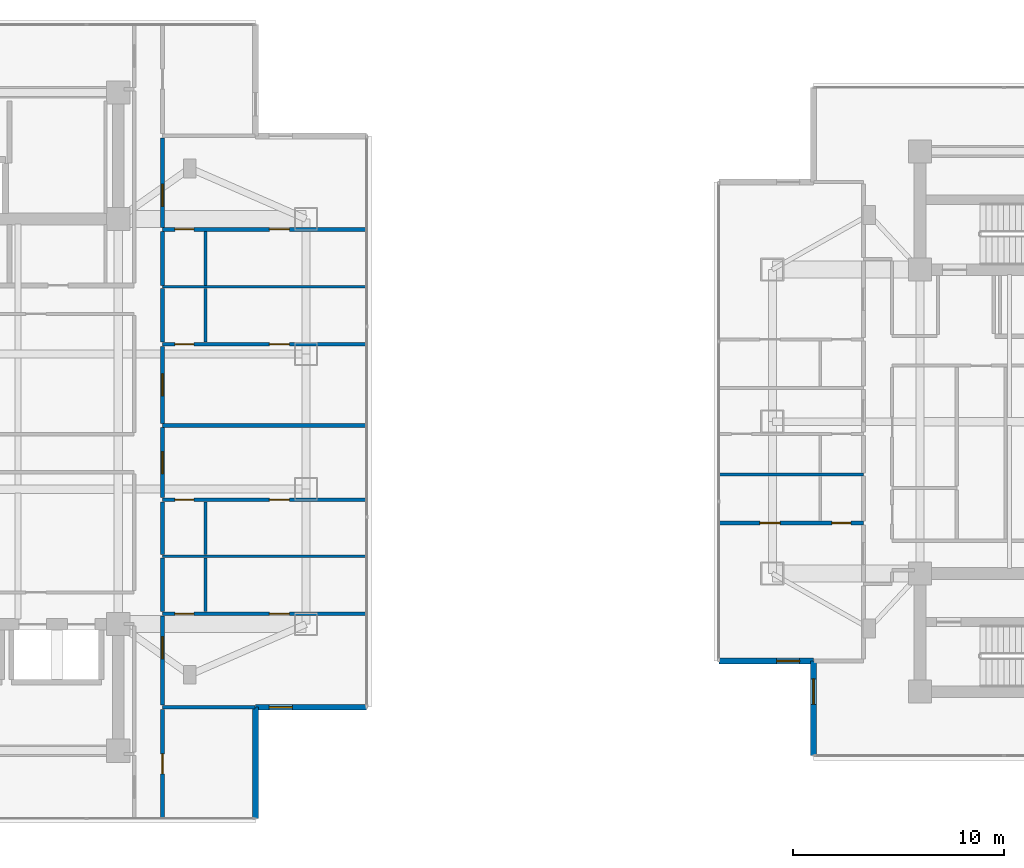
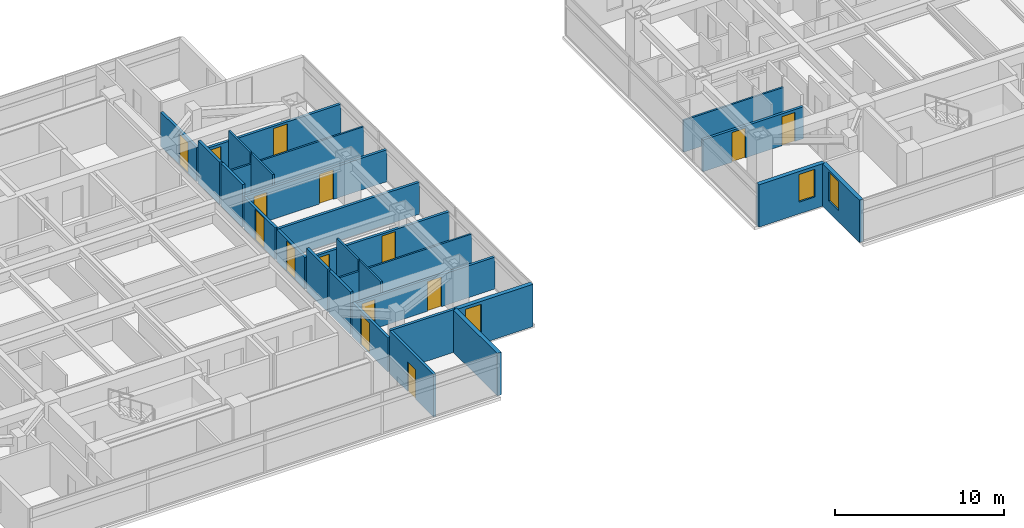
# One storey, part 14 of 24: 27 walls, 15 doors, 3 windows, 18 openings.
"""IFC4 building model written with IfcOpenShell, lengths in metres."""

import ifcopenshell
import ifcopenshell.guid

model = None  # the IFC model being written
_history = None  # IfcOwnerHistory: only IFC2X3 demands one
_inside = {}  # id of a spatial element -> (the spatial element, [elements in it])
_under = {}  # id of a project, library or spatial element -> (it, [spatial elements below it])
_declared = {}  # id of a project -> (the project, [libraries it declares])
_typed = {}  # id of a type object -> (the type object, [elements of that type])
_made_of = {}  # id of a material, layer set ... -> (it, [elements and type objects made of it])


def new_model(schema):
    """Start an empty IFC model of exactly this schema.

    Asked for "IFC4X3", IfcOpenShell would pick the latest addendum, in which some entities
    have other attributes; the version numbers below select the first issue.
    IFC2X3 requires an IfcOwnerHistory on every rooted entity: one is made here for all.
    """
    global model, _history
    if schema == "IFC4X3":
        model = ifcopenshell.file(schema_version=(4, 3, 0, 0))
    else:
        model = ifcopenshell.file(schema=schema)
    _inside.clear()
    _under.clear()
    _declared.clear()
    _typed.clear()
    _made_of.clear()
    _history = None
    if model.schema == "IFC2X3":
        org = make("IfcOrganization", Name="unknown")
        user = make(
            "IfcPersonAndOrganization",
            ThePerson=make("IfcPerson", FamilyName="unknown"),
            TheOrganization=org,
        )
        app = make(
            "IfcApplication",
            ApplicationDeveloper=org,
            Version="unknown",
            ApplicationFullName="unknown",
            ApplicationIdentifier="unknown",
        )
        _history = make(
            "IfcOwnerHistory",
            OwningUser=user,
            OwningApplication=app,
            ChangeAction="ADDED",
            CreationDate=0,
        )
    return model


def make(cls, **values):
    """One entity of the class cls with the attributes given. An attribute that is None is left unset."""
    return model.create_entity(
        cls, **{name: value for name, value in values.items() if value is not None}
    )


def rooted(cls, **values):
    """An entity with a GlobalId (a new one), such as an element, a storey or a relation."""
    return make(cls, GlobalId=ifcopenshell.guid.new(), OwnerHistory=_history, **values)


def si_unit(unit_type, name, prefix=None):
    """IfcSIUnit, for example si_unit("LENGTHUNIT", "METRE", prefix="MILLI")."""
    return make("IfcSIUnit", UnitType=unit_type, Prefix=prefix, Name=name)


def assignment(units):
    """IfcUnitAssignment: the units of a project."""
    return None if units is None else make("IfcUnitAssignment", Units=units)


def point(xyz):
    """IfcCartesianPoint."""
    return None if xyz is None else make("IfcCartesianPoint", Coordinates=xyz)


def direction(xyz):
    """IfcDirection."""
    return None if xyz is None else make("IfcDirection", DirectionRatios=xyz)


def frame(location, z_axis=None, x_axis=None):
    """IfcAxis2Placement3D, a coordinate frame: its origin and axes. An axis left out is left unset."""
    return make(
        "IfcAxis2Placement3D",
        Location=point(location),
        Axis=direction(z_axis),
        RefDirection=direction(x_axis),
    )


def frame_2d(location, x_axis=None):
    """IfcAxis2Placement2D, a coordinate frame in the plane: its origin and x axis."""
    return make(
        "IfcAxis2Placement2D", Location=point(location), RefDirection=direction(x_axis)
    )


def origin():
    """The frame at (0, 0, 0) with its axes left unset."""
    return frame((0.0, 0.0, 0.0))


def place(relative_to, where):
    """IfcLocalPlacement: puts the frame where relative to a parent placement (None: the world)."""
    return make(
        "IfcLocalPlacement", PlacementRelTo=relative_to, RelativePlacement=where
    )


def context(
    kind, dimensions, precision=None, world=None, true_north=None, identifier=None
):
    """IfcGeometricRepresentationContext, for example the 3D "Model" context."""
    return make(
        "IfcGeometricRepresentationContext",
        ContextIdentifier=identifier,
        ContextType=kind,
        CoordinateSpaceDimension=dimensions,
        Precision=precision,
        WorldCoordinateSystem=world,
        TrueNorth=true_north,
    )


def subcontext(parent, identifier, kind, view, scale=None):
    """IfcGeometricRepresentationSubContext, for example "Body" below "Model"."""
    return make(
        "IfcGeometricRepresentationSubContext",
        ContextIdentifier=identifier,
        ContextType=kind,
        ParentContext=parent,
        TargetScale=scale,
        TargetView=view,
    )


def project(units=None, contexts=None):
    """IfcProject with its units and contexts."""
    return rooted(
        "IfcProject",
        Name="project",
        RepresentationContexts=contexts,
        UnitsInContext=assignment(units),
    )


def spatial(cls, under=None, at=None, **own):
    """A site, building, storey or space (cls), placed at a placement, below another one or the project."""
    s = rooted(cls, ObjectPlacement=at, **own)
    if under is not None:
        _under.setdefault(under.id(), (under, []))[1].append(s)
    return s


def profile(cls, at=None, kind="AREA", **sizes):
    """A parametric profile (cls). Its sizes go by their IFC names, for example OverallWidth=200.0."""
    return make(cls, ProfileType=kind, Position=at, **sizes)


def rectangle(**sizes):
    """IfcRectangleProfileDef."""
    return profile("IfcRectangleProfileDef", **sizes)


def extrude(swept, where, along, depth):
    """IfcExtrudedAreaSolid: the profile swept, set in the frame where, extruded along a direction by depth."""
    return make(
        "IfcExtrudedAreaSolid",
        SweptArea=swept,
        Position=where,
        ExtrudedDirection=direction(along),
        Depth=depth,
    )


def shape(context_of_items, identifier, shape_type, items):
    """IfcShapeRepresentation: the items that make up one representation, for example the "Body"."""
    return make(
        "IfcShapeRepresentation",
        ContextOfItems=context_of_items,
        RepresentationIdentifier=identifier,
        RepresentationType=shape_type,
        Items=items,
    )


def material(Name=None, Category=None):
    """IfcMaterial."""
    return make("IfcMaterial", Name=Name, Category=Category)


def layer(
    of_material, thickness, ventilated=None, Name=None, Category=None, Priority=None
):
    """IfcMaterialLayer: one layer of a wall or slab, of a material (None: an air gap)."""
    return make(
        "IfcMaterialLayer",
        Material=of_material,
        LayerThickness=thickness,
        IsVentilated=ventilated,
        Name=Name,
        Category=Category,
        Priority=Priority,
    )


def layer_set(layers, Name=None):
    """IfcMaterialLayerSet."""
    return make("IfcMaterialLayerSet", MaterialLayers=layers, LayerSetName=Name)


def made_of(thing, what):
    """Note that an element or type object is made of a material, layer set ...; save() writes the relation."""
    if what is not None:
        _made_of.setdefault(what.id(), (what, []))[1].append(thing)
    return thing


def type_object(cls, material=None, **own):
    """A type object (cls), such as IfcWallType, which elements share."""
    return made_of(rooted(cls, **own), material)


def element(
    cls,
    number,
    at=None,
    inside=None,
    cuts=None,
    type_object=None,
    material=None,
    context=None,
    identifier="Body",
    shape_type=None,
    held_by="IfcProductDefinitionShape",
    body=None,
    shapes=None,
    **own,
):
    """One element of the class cls, such as IfcWall. Its Tag is "e" and its number.

    at: its placement. inside: the storey or other place that contains it. cuts: it is an
    opening in that element (IfcRelVoidsElement). A single representation is given by context,
    identifier, shape_type and body (its items); several are given by shapes. held_by: the class
    of the entity that holds the representations. save() writes the other relations.
    """
    e = rooted(cls, Tag="e%d" % number, ObjectPlacement=at, **own)
    if body is not None:
        shapes = [shape(context, identifier, shape_type, body)]
    if shapes is not None:
        e.Representation = make(held_by, Representations=shapes)
    if inside is not None:
        _inside.setdefault(inside.id(), (inside, []))[1].append(e)
    if cuts is not None:
        rooted(
            "IfcRelVoidsElement", RelatingBuildingElement=cuts, RelatedOpeningElement=e
        )
    if type_object is not None:
        _typed.setdefault(type_object.id(), (type_object, []))[1].append(e)
    return made_of(e, material)


def fill(opening, filler):
    """IfcRelFillsElement: the door or window that sits in an opening."""
    return rooted(
        "IfcRelFillsElement",
        RelatingOpeningElement=opening,
        RelatedBuildingElement=filler,
    )


def aggregate(whole, parts):
    """IfcRelAggregates: a whole, such as a stair, and the parts it consists of."""
    return rooted("IfcRelAggregates", RelatingObject=whole, RelatedObjects=parts)


def save(model, path):
    """Write the relations noted so far, then the file.

    IfcRelAggregates (storeys below a building ...), IfcRelContainedInSpatialStructure (elements
    in a storey), IfcRelDefinesByType, IfcRelAssociatesMaterial and IfcRelDeclares: one each for
    every whole, place, type object, material and project.
    """
    for whole, parts in _under.values():
        aggregate(whole, parts)
    for where, things in _inside.values():
        rooted(
            "IfcRelContainedInSpatialStructure",
            RelatedElements=things,
            RelatingStructure=where,
        )
    for kind, things in _typed.values():
        rooted("IfcRelDefinesByType", RelatedObjects=things, RelatingType=kind)
    for what, things in _made_of.values():
        rooted("IfcRelAssociatesMaterial", RelatedObjects=things, RelatingMaterial=what)
    for by, libraries in _declared.values():
        rooted("IfcRelDeclares", RelatingContext=by, RelatedDefinitions=libraries)
    model.write(path)


model = new_model("IFC4")

# Units and contexts
model_context = context("Model", 3, precision=1e-05, world=origin(), true_north=direction((0.0, 1.0)))
body_context = subcontext(model_context, "Body", "Model", "MODEL_VIEW")
ifc_project = project(units=[si_unit("LENGTHUNIT", "METRE"), si_unit("AREAUNIT", "SQUARE_METRE"), si_unit("VOLUMEUNIT", "CUBIC_METRE"), si_unit("PLANEANGLEUNIT", "RADIAN"), si_unit("MASSUNIT", "GRAM", prefix="KILO")], contexts=[model_context])

# Site, building, storey
site_placement = place(None, origin())
site = spatial("IfcSite", under=ifc_project, at=site_placement, CompositionType="ELEMENT")
building_placement = place(site_placement, origin())
building = spatial("IfcBuilding", under=site, at=building_placement, Name="Mirazonda Arch Towers", CompositionType="ELEMENT")
storey_placement = place(building_placement, frame((0.0, 0.0, 134.60009765625)))
storey = spatial("IfcBuildingStorey", under=building, at=storey_placement, Name="L38", CompositionType="ELEMENT", Elevation=134.60009765625)

# Wall, opening, window
ifc_material_1 = material(Name="Precast Concrete C40/50", Category="concrete")
ifc_layer_1 = layer(ifc_material_1, 0.280029296875, Name="WALL-EXT-WALL-280")
ifc_layer_set_1 = layer_set([ifc_layer_1], Name="Precast Concrete C40/50")
wall_type_1 = type_object("IfcWallType", Name="WALL-EXT-WALL-280", PredefinedType="SOLIDWALL", material=ifc_layer_set_1)
wall_1_placement = place(storey_placement, frame((36.510009765625, 14.4599609375, 0.0), z_axis=(0.0, 0.0, 1.0), x_axis=(1.0, 0.0, 0.0)))
wall_1 = element("IfcWall", 1, at=wall_1_placement, inside=storey, type_object=wall_type_1, Name="L38 T1 Corner Notch Return Wall WL-L38-T1-CSE1", PredefinedType="SOLIDWALL", context=body_context, shape_type="SweptSolid", body=[
    extrude(rectangle(XDim=5.27001953125, YDim=0.280029296875, at=frame_2d((2.635009765625, 0.0))), origin(), (0.0, 0.0, 1.0), 3.059814453125),
])
opening_1_placement = place(wall_1_placement, frame((0.64990234375, 0.0, 0.85009765625)))
opening_1 = element("IfcOpeningElement", 2, at=opening_1_placement, cuts=wall_1, Name="Opening WN-108", PredefinedType="OPENING", context=body_context, shape_type="SweptSolid", body=[
    extrude(rectangle(XDim=1.10009765625, YDim=2.0, at=frame_2d((0.550048828125, 1.0))), frame((0.0, 0.14990234375, 0.0), z_axis=(0.0, -1.0, 0.0), x_axis=(1.0, 0.0, 0.0)), (0.0, 0.0, 1.0), 0.300048828125),
])
ifc_material_2 = material(Name="Insulated Low-E Solar Glass", Category="glass")
window_type_1 = type_object("IfcWindowType", Name="WIN-NOTCH-1100x2000", PartitioningType="SINGLE_PANEL", PredefinedType="WINDOW", material=ifc_material_2)
window_1_placement = place(opening_1_placement, origin())
window_1 = element("IfcWindow", 3, at=window_1_placement, inside=storey, type_object=window_type_1, Name="L38 Punched Facade Window WN-L38-T1-CSE1", OverallHeight=2.0, OverallWidth=1.10009765625, PartitioningType="SINGLE_PANEL", PredefinedType="WINDOW", context=body_context, shape_type="SweptSolid", body=[
    extrude(rectangle(XDim=1.10009765625, YDim=2.0, at=frame_2d((0.550048828125, 1.0))), frame((0.0, 0.030029296875, 0.0), z_axis=(0.0, -1.0, 0.0), x_axis=(1.0, 0.0, 0.0)), (0.0, 0.0, 1.0), 0.06005859375),
])
fill(opening_1, window_1)

# Wall
wall_2_placement = place(storey_placement, frame((36.510009765625, 9.18994140625, 0.0), z_axis=(0.0, 0.0, 1.0), x_axis=(0.0, 1.0, 0.0)))
element("IfcWall", 4, at=wall_2_placement, inside=storey, type_object=wall_type_1, Name="L38 T1 Corner Notch Return Wall WL-L38-T1-CSE2", PredefinedType="SOLIDWALL", context=body_context, shape_type="SweptSolid", body=[
    extrude(rectangle(XDim=5.27001953125, YDim=0.280029296875, at=frame_2d((2.635009765625, 0.0))), origin(), (0.0, 0.0, 1.0), 3.059814453125),
])

# Wall, opening, window
wall_3_placement = place(storey_placement, frame((62.951416015625, 16.65087890625, 0.0), z_axis=(0.0, 0.0, 1.0), x_axis=(0.0, -1.0, 0.0)))
wall_3 = element("IfcWall", 5, at=wall_3_placement, inside=storey, type_object=wall_type_1, Name="L38 T2 Notched SW Corner Wall WL-L38-T2-CSW", PredefinedType="SOLIDWALL", context=body_context, shape_type="SweptSolid", body=[
    extrude(rectangle(XDim=4.486328125, YDim=0.280029296875, at=frame_2d((2.2431640625, 0.0))), origin(), (0.0, 0.0, 1.0), 3.059814453125),
])
opening_2_placement = place(wall_3_placement, frame((0.85009765625, 0.0, 0.81005859375)))
opening_2 = element("IfcOpeningElement", 6, at=opening_2_placement, cuts=wall_3, Name="Opening WN-122", PredefinedType="OPENING", context=body_context, shape_type="SweptSolid", body=[
    extrude(rectangle(XDim=1.199951171875, YDim=2.10009765625, at=frame_2d((0.60009765625, 1.050048828125))), frame((0.0, 0.14990234375, 0.0), z_axis=(0.0, -1.0, 0.0), x_axis=(1.0, 0.0, 0.0)), (0.0, 0.0, 1.0), 0.300048828125),
])
window_type_2 = type_object("IfcWindowType", Name="WIN-HTL-1200x2100", PartitioningType="SINGLE_PANEL", PredefinedType="WINDOW", material=ifc_material_2)
window_2_placement = place(opening_2_placement, origin())
window_2 = element("IfcWindow", 7, at=window_2_placement, inside=storey, type_object=window_type_2, Name="L38 Punched Facade Window WN-L38-T2-CSW", OverallHeight=2.10009765625, OverallWidth=1.199951171875, PartitioningType="SINGLE_PANEL", PredefinedType="WINDOW", context=body_context, shape_type="SweptSolid", body=[
    extrude(rectangle(XDim=1.199951171875, YDim=2.10009765625, at=frame_2d((0.60009765625, 1.050048828125))), frame((0.0, 0.030029296875, 0.0), z_axis=(0.0, -1.0, 0.0), x_axis=(1.0, 0.0, 0.0)), (0.0, 0.0, 1.0), 0.06005859375),
])
fill(opening_2, window_2)

wall_4_placement = place(storey_placement, frame((58.465087890625, 16.65087890625, 0.0), z_axis=(0.0, 0.0, 1.0), x_axis=(1.0, 0.0, 0.0)))
wall_4 = element("IfcWall", 8, at=wall_4_placement, inside=storey, type_object=wall_type_1, Name="L38 T2 Corner Notch Return Wall WL-L38-T2-CSW2", PredefinedType="SOLIDWALL", context=body_context, shape_type="SweptSolid", body=[
    extrude(rectangle(XDim=4.486328125, YDim=0.280029296875, at=frame_2d((2.2431640625, 0.0))), origin(), (0.0, 0.0, 1.0), 3.059814453125),
])
opening_3_placement = place(wall_4_placement, frame((2.736083984375, 0.0, 0.85009765625)))
opening_3 = element("IfcOpeningElement", 9, at=opening_3_placement, cuts=wall_4, Name="Opening WN-108", PredefinedType="OPENING", context=body_context, shape_type="SweptSolid", body=[
    extrude(rectangle(XDim=1.10009765625, YDim=2.0, at=frame_2d((0.550048828125, 1.0))), frame((0.0, 0.14990234375, 0.0), z_axis=(0.0, -1.0, 0.0), x_axis=(1.0, 0.0, 0.0)), (0.0, 0.0, 1.0), 0.300048828125),
])
window_3_placement = place(opening_3_placement, origin())
window_3 = element("IfcWindow", 10, at=window_3_placement, inside=storey, type_object=window_type_1, Name="L38 Punched Facade Window WN-L38-T2-CSW2", OverallHeight=2.0, OverallWidth=1.10009765625, PartitioningType="SINGLE_PANEL", PredefinedType="WINDOW", context=body_context, shape_type="SweptSolid", body=[
    extrude(rectangle(XDim=1.10009765625, YDim=2.0, at=frame_2d((0.550048828125, 1.0))), frame((0.0, 0.030029296875, 0.0), z_axis=(0.0, -1.0, 0.0), x_axis=(1.0, 0.0, 0.0)), (0.0, 0.0, 1.0), 0.06005859375),
])
fill(opening_3, window_3)

# Wall
ifc_material_3 = material(Name="Fire-Rated Gypsum Twin-Stud Assembly")
ifc_layer_2 = layer(ifc_material_3, 0.179931640625, Name="WALL-PART-DEMISE-180")
ifc_layer_set_2 = layer_set([ifc_layer_2], Name="Fire-Rated Gypsum Twin-Stud Assembly")
wall_type_2 = type_object("IfcWallType", Name="WALL-PART-DEMISE-180", PredefinedType="PARTITIONING", material=ifc_layer_set_2)
wall_5_placement = place(storey_placement, frame((32.10009765625, 14.4599609375, 0.0), z_axis=(0.0, 0.0, 1.0), x_axis=(1.0, 0.0, 0.0)))
element("IfcWall", 11, at=wall_5_placement, inside=storey, type_object=wall_type_2, Name="L38 Interior Partition 005", PredefinedType="PARTITIONING", context=body_context, shape_type="SweptSolid", body=[
    extrude(rectangle(XDim=4.389892578125, YDim=0.179931640625, at=frame_2d((2.19482421875, 0.0))), origin(), (0.0, 0.0, 1.0), 3.079833984375),
])

# Wall, openings, doors
wall_6_placement = place(storey_placement, frame((32.10009765625, 18.89501953125, 0.0), z_axis=(0.0, 0.0, 1.0), x_axis=(1.0, 0.0, 0.0)))
wall_6 = element("IfcWall", 12, at=wall_6_placement, inside=storey, type_object=wall_type_2, Name="L38 Interior Partition 015", PredefinedType="PARTITIONING", context=body_context, shape_type="SweptSolid", body=[
    extrude(rectangle(XDim=9.679931640625, YDim=0.179931640625, at=frame_2d((4.83984375, 0.0))), origin(), (0.0, 0.0, 1.0), 2.298828125),
])
opening_4_placement = place(wall_6_placement, frame((5.06494140625, 0.0, 0.0)))
opening_4 = element("IfcOpeningElement", 13, at=opening_4_placement, cuts=wall_6, Name="Opening DR-104", PredefinedType="OPENING", context=body_context, shape_type="SweptSolid", body=[
    extrude(rectangle(XDim=0.949951171875, YDim=2.14990234375, at=frame_2d((0.47509765625, 1.074951171875))), frame((0.0, 0.099853515625, 0.0), z_axis=(0.0, -1.0, 0.0), x_axis=(1.0, 0.0, 0.0)), (0.0, 0.0, 1.0), 0.199951171875),
])
opening_5_placement = place(wall_6_placement, frame((0.590087890625, 0.0, 0.0)))
opening_5 = element("IfcOpeningElement", 14, at=opening_5_placement, cuts=wall_6, Name="Opening DR-120", PredefinedType="OPENING", context=body_context, shape_type="SweptSolid", body=[
    extrude(rectangle(XDim=0.89990234375, YDim=2.10009765625, at=frame_2d((0.449951171875, 1.050048828125))), frame((0.0, 0.099853515625, 0.0), z_axis=(0.0, -1.0, 0.0), x_axis=(1.0, 0.0, 0.0)), (0.0, 0.0, 1.0), 0.199951171875),
])
ifc_material_4 = material(Name="Architectural Brushed Steel S355", Category="steel")
door_type_1 = type_object("IfcDoorType", Name="DOOR-ROOM-950", OperationType="NOTDEFINED", PredefinedType="DOOR", material=ifc_material_4)
door_1_placement = place(opening_4_placement, origin())
door_1 = element("IfcDoor", 15, at=door_1_placement, inside=storey, type_object=door_type_1, Name="L38 Studio 1 Galley Kitchen Door", OperationType="SINGLE_SWING_RIGHT", OverallHeight=2.14990234375, OverallWidth=0.949951171875, PredefinedType="DOOR", context=body_context, shape_type="SweptSolid", body=[
    extrude(rectangle(XDim=0.949951171875, YDim=2.14990234375, at=frame_2d((0.47509765625, 1.074951171875))), frame((0.0, 0.02490234375, 0.0), z_axis=(0.0, -1.0, 0.0), x_axis=(1.0, 0.0, 0.0)), (0.0, 0.0, 1.0), 0.050048828125),
])
fill(opening_4, door_1)
door_type_2 = type_object("IfcDoorType", Name="DOOR-WC-900", OperationType="NOTDEFINED", PredefinedType="DOOR", material=ifc_material_4)
door_2_placement = place(opening_5_placement, origin())
door_2 = element("IfcDoor", 16, at=door_2_placement, inside=storey, type_object=door_type_2, Name="L38 Studio 1 Bathroom Door", OperationType="SINGLE_SWING_LEFT", OverallHeight=2.10009765625, OverallWidth=0.89990234375, PredefinedType="DOOR", context=body_context, shape_type="SweptSolid", body=[
    extrude(rectangle(XDim=0.89990234375, YDim=2.10009765625, at=frame_2d((0.449951171875, 1.050048828125))), frame((0.0, 0.02490234375, 0.0), z_axis=(0.0, -1.0, 0.0), x_axis=(1.0, 0.0, 0.0)), (0.0, 0.0, 1.0), 0.050048828125),
])
fill(opening_5, door_2)

wall_7_placement = place(storey_placement, frame((58.465087890625, 23.19189453125, 0.0), z_axis=(0.0, 0.0, 1.0), x_axis=(1.0, 0.0, 0.0)))
wall_7 = element("IfcWall", 17, at=wall_7_placement, inside=storey, type_object=wall_type_2, Name="L38 Interior Partition 025", PredefinedType="PARTITIONING", context=body_context, shape_type="SweptSolid", body=[
    extrude(rectangle(XDim=6.85498046875, YDim=0.179931640625, at=frame_2d((3.427490234375, 0.0))), origin(), (0.0, 0.0, 1.0), 2.298828125),
])
opening_6_placement = place(wall_7_placement, frame((1.952392578125, 0.0, 0.0)))
opening_6 = element("IfcOpeningElement", 18, at=opening_6_placement, cuts=wall_7, Name="Opening DR-104", PredefinedType="OPENING", context=body_context, shape_type="SweptSolid", body=[
    extrude(rectangle(XDim=0.949951171875, YDim=2.14990234375, at=frame_2d((0.47509765625, 1.074951171875))), frame((0.0, 0.099853515625, 0.0), z_axis=(0.0, -1.0, 0.0), x_axis=(1.0, 0.0, 0.0)), (0.0, 0.0, 1.0), 0.199951171875),
])
opening_7_placement = place(wall_7_placement, frame((5.364990234375, 0.0, 0.0)))
opening_7 = element("IfcOpeningElement", 19, at=opening_7_placement, cuts=wall_7, Name="Opening DR-120", PredefinedType="OPENING", context=body_context, shape_type="SweptSolid", body=[
    extrude(rectangle(XDim=0.89990234375, YDim=2.10009765625, at=frame_2d((0.449951171875, 1.050048828125))), frame((0.0, 0.099853515625, 0.0), z_axis=(0.0, -1.0, 0.0), x_axis=(1.0, 0.0, 0.0)), (0.0, 0.0, 1.0), 0.199951171875),
])
door_3_placement = place(opening_6_placement, origin())
door_3 = element("IfcDoor", 20, at=door_3_placement, inside=storey, type_object=door_type_1, Name="L38 Guestroom Study 1 Door", OperationType="SINGLE_SWING_LEFT", OverallHeight=2.14990234375, OverallWidth=0.949951171875, PredefinedType="DOOR", context=body_context, shape_type="SweptSolid", body=[
    extrude(rectangle(XDim=0.949951171875, YDim=2.14990234375, at=frame_2d((0.47509765625, 1.074951171875))), frame((0.0, 0.02490234375, 0.0), z_axis=(0.0, -1.0, 0.0), x_axis=(1.0, 0.0, 0.0)), (0.0, 0.0, 1.0), 0.050048828125),
])
fill(opening_6, door_3)
door_4_placement = place(opening_7_placement, origin())
door_4 = element("IfcDoor", 21, at=door_4_placement, inside=storey, type_object=door_type_2, Name="L38 En-Suite Bathroom 1 Door", OperationType="SINGLE_SWING_RIGHT", OverallHeight=2.10009765625, OverallWidth=0.89990234375, PredefinedType="DOOR", context=body_context, shape_type="SweptSolid", body=[
    extrude(rectangle(XDim=0.89990234375, YDim=2.10009765625, at=frame_2d((0.449951171875, 1.050048828125))), frame((0.0, 0.02490234375, 0.0), z_axis=(0.0, -1.0, 0.0), x_axis=(1.0, 0.0, 0.0)), (0.0, 0.0, 1.0), 0.050048828125),
])
fill(opening_7, door_4)

wall_8_placement = place(storey_placement, frame((32.10009765625, 24.2958984375, 0.0), z_axis=(0.0, 0.0, 1.0), x_axis=(1.0, 0.0, 0.0)))
wall_8 = element("IfcWall", 22, at=wall_8_placement, inside=storey, type_object=wall_type_2, Name="L38 Interior Partition 026", PredefinedType="PARTITIONING", context=body_context, shape_type="SweptSolid", body=[
    extrude(rectangle(XDim=9.679931640625, YDim=0.179931640625, at=frame_2d((4.83984375, 0.0))), origin(), (0.0, 0.0, 1.0), 2.298828125),
])
opening_8_placement = place(wall_8_placement, frame((5.06494140625, 0.0, 0.0)))
opening_8 = element("IfcOpeningElement", 23, at=opening_8_placement, cuts=wall_8, Name="Opening DR-104", PredefinedType="OPENING", context=body_context, shape_type="SweptSolid", body=[
    extrude(rectangle(XDim=0.949951171875, YDim=2.14990234375, at=frame_2d((0.47509765625, 1.074951171875))), frame((0.0, 0.099853515625, 0.0), z_axis=(0.0, -1.0, 0.0), x_axis=(1.0, 0.0, 0.0)), (0.0, 0.0, 1.0), 0.199951171875),
])
opening_9_placement = place(wall_8_placement, frame((0.590087890625, 0.0, 0.0)))
opening_9 = element("IfcOpeningElement", 24, at=opening_9_placement, cuts=wall_8, Name="Opening DR-120", PredefinedType="OPENING", context=body_context, shape_type="SweptSolid", body=[
    extrude(rectangle(XDim=0.89990234375, YDim=2.10009765625, at=frame_2d((0.449951171875, 1.050048828125))), frame((0.0, 0.099853515625, 0.0), z_axis=(0.0, -1.0, 0.0), x_axis=(1.0, 0.0, 0.0)), (0.0, 0.0, 1.0), 0.199951171875),
])
door_5_placement = place(opening_8_placement, origin())
door_5 = element("IfcDoor", 25, at=door_5_placement, inside=storey, type_object=door_type_1, Name="L38 Studio 2 Galley Kitchen Door", OperationType="SINGLE_SWING_LEFT", OverallHeight=2.14990234375, OverallWidth=0.949951171875, PredefinedType="DOOR", context=body_context, shape_type="SweptSolid", body=[
    extrude(rectangle(XDim=0.949951171875, YDim=2.14990234375, at=frame_2d((0.47509765625, 1.074951171875))), frame((0.0, 0.02490234375, 0.0), z_axis=(0.0, -1.0, 0.0), x_axis=(1.0, 0.0, 0.0)), (0.0, 0.0, 1.0), 0.050048828125),
])
fill(opening_8, door_5)
door_6_placement = place(opening_9_placement, origin())
door_6 = element("IfcDoor", 26, at=door_6_placement, inside=storey, type_object=door_type_2, Name="L38 Studio 2 Bathroom Door", OperationType="SINGLE_SWING_RIGHT", OverallHeight=2.10009765625, OverallWidth=0.89990234375, PredefinedType="DOOR", context=body_context, shape_type="SweptSolid", body=[
    extrude(rectangle(XDim=0.89990234375, YDim=2.10009765625, at=frame_2d((0.449951171875, 1.050048828125))), frame((0.0, 0.02490234375, 0.0), z_axis=(0.0, -1.0, 0.0), x_axis=(1.0, 0.0, 0.0)), (0.0, 0.0, 1.0), 0.050048828125),
])
fill(opening_9, door_6)

# Wall
wall_9_placement = place(storey_placement, frame((32.10009765625, 27.81201171875, 0.0), z_axis=(0.0, 0.0, 1.0), x_axis=(1.0, 0.0, 0.0)))
element("IfcWall", 27, at=wall_9_placement, inside=storey, type_object=wall_type_2, Name="L38 Interior Partition 035", PredefinedType="PARTITIONING", context=body_context, shape_type="SweptSolid", body=[
    extrude(rectangle(XDim=9.679931640625, YDim=0.179931640625, at=frame_2d((4.83984375, 0.0))), origin(), (0.0, 0.0, 1.0), 2.298828125),
])

# Wall, openings, doors
wall_10_placement = place(storey_placement, frame((32.10009765625, 31.6650390625, 0.0), z_axis=(0.0, 0.0, 1.0), x_axis=(1.0, 0.0, 0.0)))
wall_10 = element("IfcWall", 28, at=wall_10_placement, inside=storey, type_object=wall_type_2, Name="L38 Interior Partition 040", PredefinedType="PARTITIONING", context=body_context, shape_type="SweptSolid", body=[
    extrude(rectangle(XDim=9.679931640625, YDim=0.179931640625, at=frame_2d((4.83984375, 0.0))), origin(), (0.0, 0.0, 1.0), 2.298828125),
])
opening_10_placement = place(wall_10_placement, frame((5.06494140625, 0.0, 0.0)))
opening_10 = element("IfcOpeningElement", 29, at=opening_10_placement, cuts=wall_10, Name="Opening DR-104", PredefinedType="OPENING", context=body_context, shape_type="SweptSolid", body=[
    extrude(rectangle(XDim=0.949951171875, YDim=2.14990234375, at=frame_2d((0.47509765625, 1.074951171875))), frame((0.0, 0.099853515625, 0.0), z_axis=(0.0, -1.0, 0.0), x_axis=(1.0, 0.0, 0.0)), (0.0, 0.0, 1.0), 0.199951171875),
])
opening_11_placement = place(wall_10_placement, frame((0.590087890625, 0.0, 0.0)))
opening_11 = element("IfcOpeningElement", 30, at=opening_11_placement, cuts=wall_10, Name="Opening DR-120", PredefinedType="OPENING", context=body_context, shape_type="SweptSolid", body=[
    extrude(rectangle(XDim=0.89990234375, YDim=2.10009765625, at=frame_2d((0.449951171875, 1.050048828125))), frame((0.0, 0.099853515625, 0.0), z_axis=(0.0, -1.0, 0.0), x_axis=(1.0, 0.0, 0.0)), (0.0, 0.0, 1.0), 0.199951171875),
])
door_7_placement = place(opening_10_placement, origin())
door_7 = element("IfcDoor", 31, at=door_7_placement, inside=storey, type_object=door_type_1, Name="L38 Studio 3 Galley Kitchen Door", OperationType="SINGLE_SWING_RIGHT", OverallHeight=2.14990234375, OverallWidth=0.949951171875, PredefinedType="DOOR", context=body_context, shape_type="SweptSolid", body=[
    extrude(rectangle(XDim=0.949951171875, YDim=2.14990234375, at=frame_2d((0.47509765625, 1.074951171875))), frame((0.0, 0.02490234375, 0.0), z_axis=(0.0, -1.0, 0.0), x_axis=(1.0, 0.0, 0.0)), (0.0, 0.0, 1.0), 0.050048828125),
])
fill(opening_10, door_7)
door_8_placement = place(opening_11_placement, origin())
door_8 = element("IfcDoor", 32, at=door_8_placement, inside=storey, type_object=door_type_2, Name="L38 Studio 3 Bathroom Door", OperationType="SINGLE_SWING_LEFT", OverallHeight=2.10009765625, OverallWidth=0.89990234375, PredefinedType="DOOR", context=body_context, shape_type="SweptSolid", body=[
    extrude(rectangle(XDim=0.89990234375, YDim=2.10009765625, at=frame_2d((0.449951171875, 1.050048828125))), frame((0.0, 0.02490234375, 0.0), z_axis=(0.0, -1.0, 0.0), x_axis=(1.0, 0.0, 0.0)), (0.0, 0.0, 1.0), 0.050048828125),
])
fill(opening_11, door_8)

wall_11_placement = place(storey_placement, frame((32.10009765625, 37.10498046875, 0.0), z_axis=(0.0, 0.0, 1.0), x_axis=(1.0, 0.0, 0.0)))
wall_11 = element("IfcWall", 33, at=wall_11_placement, inside=storey, type_object=wall_type_2, Name="L38 Interior Partition 052", PredefinedType="PARTITIONING", context=body_context, shape_type="SweptSolid", body=[
    extrude(rectangle(XDim=9.679931640625, YDim=0.179931640625, at=frame_2d((4.83984375, 0.0))), origin(), (0.0, 0.0, 1.0), 2.298828125),
])
opening_12_placement = place(wall_11_placement, frame((5.06494140625, 0.0, 0.0)))
opening_12 = element("IfcOpeningElement", 34, at=opening_12_placement, cuts=wall_11, Name="Opening DR-104", PredefinedType="OPENING", context=body_context, shape_type="SweptSolid", body=[
    extrude(rectangle(XDim=0.949951171875, YDim=2.14990234375, at=frame_2d((0.47509765625, 1.074951171875))), frame((0.0, 0.099853515625, 0.0), z_axis=(0.0, -1.0, 0.0), x_axis=(1.0, 0.0, 0.0)), (0.0, 0.0, 1.0), 0.199951171875),
])
opening_13_placement = place(wall_11_placement, frame((0.590087890625, 0.0, 0.0)))
opening_13 = element("IfcOpeningElement", 35, at=opening_13_placement, cuts=wall_11, Name="Opening DR-120", PredefinedType="OPENING", context=body_context, shape_type="SweptSolid", body=[
    extrude(rectangle(XDim=0.89990234375, YDim=2.10009765625, at=frame_2d((0.449951171875, 1.050048828125))), frame((0.0, 0.099853515625, 0.0), z_axis=(0.0, -1.0, 0.0), x_axis=(1.0, 0.0, 0.0)), (0.0, 0.0, 1.0), 0.199951171875),
])
door_9_placement = place(opening_12_placement, origin())
door_9 = element("IfcDoor", 36, at=door_9_placement, inside=storey, type_object=door_type_1, Name="L38 Studio 4 Galley Kitchen Door", OperationType="SINGLE_SWING_LEFT", OverallHeight=2.14990234375, OverallWidth=0.949951171875, PredefinedType="DOOR", context=body_context, shape_type="SweptSolid", body=[
    extrude(rectangle(XDim=0.949951171875, YDim=2.14990234375, at=frame_2d((0.47509765625, 1.074951171875))), frame((0.0, 0.02490234375, 0.0), z_axis=(0.0, -1.0, 0.0), x_axis=(1.0, 0.0, 0.0)), (0.0, 0.0, 1.0), 0.050048828125),
])
fill(opening_12, door_9)
door_10_placement = place(opening_13_placement, origin())
door_10 = element("IfcDoor", 37, at=door_10_placement, inside=storey, type_object=door_type_2, Name="L38 Studio 4 Bathroom Door", OperationType="SINGLE_SWING_RIGHT", OverallHeight=2.10009765625, OverallWidth=0.89990234375, PredefinedType="DOOR", context=body_context, shape_type="SweptSolid", body=[
    extrude(rectangle(XDim=0.89990234375, YDim=2.10009765625, at=frame_2d((0.449951171875, 1.050048828125))), frame((0.0, 0.02490234375, 0.0), z_axis=(0.0, -1.0, 0.0), x_axis=(1.0, 0.0, 0.0)), (0.0, 0.0, 1.0), 0.050048828125),
])
fill(opening_13, door_10)

# Wall, opening, door
wall_12_placement = place(storey_placement, frame((32.10009765625, 9.18994140625, 0.0), z_axis=(0.0, 0.0, 1.0), x_axis=(0.0, 1.0, 0.0)))
wall_12 = element("IfcWall", 38, at=wall_12_placement, inside=storey, type_object=wall_type_2, Name="L38 Interior Partition 107", PredefinedType="PARTITIONING", context=body_context, shape_type="SweptSolid", body=[
    extrude(rectangle(XDim=5.170166015625, YDim=0.179931640625, at=frame_2d((2.5849609375, 0.0))), origin(), (0.0, 0.0, 1.0), 3.079833984375),
])
opening_14_placement = place(wall_12_placement, frame((2.110107421875, 0.0, 0.0)))
opening_14 = element("IfcOpeningElement", 39, at=opening_14_placement, cuts=wall_12, Name="Opening DR-104", PredefinedType="OPENING", context=body_context, shape_type="SweptSolid", body=[
    extrude(rectangle(XDim=0.949951171875, YDim=2.14990234375, at=frame_2d((0.47509765625, 1.074951171875))), frame((0.0, 0.099853515625, 0.0), z_axis=(0.0, -1.0, 0.0), x_axis=(1.0, 0.0, 0.0)), (0.0, 0.0, 1.0), 0.199951171875),
])
door_11_placement = place(opening_14_placement, origin())
door_11 = element("IfcDoor", 40, at=door_11_placement, inside=storey, type_object=door_type_1, Name="L38 South Panoramic Study Alcove East Door", OperationType="SINGLE_SWING_RIGHT", OverallHeight=2.14990234375, OverallWidth=0.949951171875, PredefinedType="DOOR", context=body_context, shape_type="SweptSolid", body=[
    extrude(rectangle(XDim=0.949951171875, YDim=2.14990234375, at=frame_2d((0.47509765625, 1.074951171875))), frame((0.0, 0.02490234375, 0.0), z_axis=(0.0, -1.0, 0.0), x_axis=(1.0, 0.0, 0.0)), (0.0, 0.0, 1.0), 0.050048828125),
])
fill(opening_14, door_11)

wall_13_placement = place(storey_placement, frame((32.10009765625, 14.56005859375, 0.0), z_axis=(0.0, 0.0, 1.0), x_axis=(0.0, 1.0, 0.0)))
wall_13 = element("IfcWall", 41, at=wall_13_placement, inside=storey, type_object=wall_type_2, Name="L38 Interior Partition 108", PredefinedType="PARTITIONING", context=body_context, shape_type="SweptSolid", body=[
    extrude(rectangle(XDim=4.23486328125, YDim=0.179931640625, at=frame_2d((2.117431640625, 0.0))), origin(), (0.0, 0.0, 1.0), 2.455810546875),
])
opening_15_placement = place(wall_13_placement, frame((2.1923828125, 0.0, 0.0)))
opening_15 = element("IfcOpeningElement", 42, at=opening_15_placement, cuts=wall_13, Name="Opening DR-121", PredefinedType="OPENING", context=body_context, shape_type="SweptSolid", body=[
    extrude(rectangle(XDim=1.050048828125, YDim=2.199951171875, at=frame_2d((0.52490234375, 1.10009765625))), frame((0.0, 0.099853515625, 0.0), z_axis=(0.0, -1.0, 0.0), x_axis=(1.0, 0.0, 0.0)), (0.0, 0.0, 1.0), 0.199951171875),
])
door_type_3 = type_object("IfcDoorType", Name="DOOR-SUITE-FD60-1050", OperationType="NOTDEFINED", PredefinedType="DOOR", material=ifc_material_4)
door_12_placement = place(opening_15_placement, origin())
door_12 = element("IfcDoor", 43, at=door_12_placement, inside=storey, type_object=door_type_3, Name="L38 Studio Apartment 1 Living Salon Door", OperationType="SINGLE_SWING_LEFT", OverallHeight=2.199951171875, OverallWidth=1.050048828125, PredefinedType="DOOR", context=body_context, shape_type="SweptSolid", body=[
    extrude(rectangle(XDim=1.050048828125, YDim=2.199951171875, at=frame_2d((0.52490234375, 1.10009765625))), frame((0.0, 0.02490234375, 0.0), z_axis=(0.0, -1.0, 0.0), x_axis=(1.0, 0.0, 0.0)), (0.0, 0.0, 1.0), 0.050048828125),
])
fill(opening_15, door_12)

# Walls
wall_14_placement = place(storey_placement, frame((32.10009765625, 18.9951171875, 0.0), z_axis=(0.0, 0.0, 1.0), x_axis=(0.0, 1.0, 0.0)))
element("IfcWall", 44, at=wall_14_placement, inside=storey, type_object=wall_type_2, Name="L38 Interior Partition 109", PredefinedType="PARTITIONING", context=body_context, shape_type="SweptSolid", body=[
    extrude(rectangle(XDim=2.54736328125, YDim=0.179931640625, at=frame_2d((1.273681640625, 0.0))), origin(), (0.0, 0.0, 1.0), 3.079833984375),
])
wall_15_placement = place(storey_placement, frame((32.10009765625, 21.6875, 0.0), z_axis=(0.0, 0.0, 1.0), x_axis=(0.0, 1.0, 0.0)))
element("IfcWall", 45, at=wall_15_placement, inside=storey, type_object=wall_type_2, Name="L38 Interior Partition 110", PredefinedType="PARTITIONING", context=body_context, shape_type="SweptSolid", body=[
    extrude(rectangle(XDim=2.508544921875, YDim=0.179931640625, at=frame_2d((1.25439453125, 0.0))), origin(), (0.0, 0.0, 1.0), 3.079833984375),
])

# Wall, opening, door
wall_16_placement = place(storey_placement, frame((32.10009765625, 24.39599609375, 0.0), z_axis=(0.0, 0.0, 1.0), x_axis=(0.0, 1.0, 0.0)))
wall_16 = element("IfcWall", 46, at=wall_16_placement, inside=storey, type_object=wall_type_2, Name="L38 Interior Partition 111", PredefinedType="PARTITIONING", context=body_context, shape_type="SweptSolid", body=[
    extrude(rectangle(XDim=3.31591796875, YDim=0.179931640625, at=frame_2d((1.657958984375, 0.0))), origin(), (0.0, 0.0, 1.0), 2.298828125),
])
opening_16_placement = place(wall_16_placement, frame((1.133056640625, 0.0, 0.0)))
opening_16 = element("IfcOpeningElement", 47, at=opening_16_placement, cuts=wall_16, Name="Opening DR-121", PredefinedType="OPENING", context=body_context, shape_type="SweptSolid", body=[
    extrude(rectangle(XDim=1.050048828125, YDim=2.199951171875, at=frame_2d((0.52490234375, 1.10009765625))), frame((0.0, 0.099853515625, 0.0), z_axis=(0.0, -1.0, 0.0), x_axis=(1.0, 0.0, 0.0)), (0.0, 0.0, 1.0), 0.199951171875),
])
door_13_placement = place(opening_16_placement, origin())
door_13 = element("IfcDoor", 48, at=door_13_placement, inside=storey, type_object=door_type_3, Name="L38 Studio Apartment 2 Living Salon Door", OperationType="SINGLE_SWING_RIGHT", OverallHeight=2.199951171875, OverallWidth=1.050048828125, PredefinedType="DOOR", context=body_context, shape_type="SweptSolid", body=[
    extrude(rectangle(XDim=1.050048828125, YDim=2.199951171875, at=frame_2d((0.52490234375, 1.10009765625))), frame((0.0, 0.02490234375, 0.0), z_axis=(0.0, -1.0, 0.0), x_axis=(1.0, 0.0, 0.0)), (0.0, 0.0, 1.0), 0.050048828125),
])
fill(opening_16, door_13)

wall_17_placement = place(storey_placement, frame((32.10009765625, 27.912109375, 0.0), z_axis=(0.0, 0.0, 1.0), x_axis=(0.0, 1.0, 0.0)))
wall_17 = element("IfcWall", 49, at=wall_17_placement, inside=storey, type_object=wall_type_2, Name="L38 Interior Partition 112", PredefinedType="PARTITIONING", context=body_context, shape_type="SweptSolid", body=[
    extrude(rectangle(XDim=3.65283203125, YDim=0.179931640625, at=frame_2d((1.826416015625, 0.0))), origin(), (0.0, 0.0, 1.0), 2.298828125),
])
opening_17_placement = place(wall_17_placement, frame((1.301513671875, 0.0, 0.0)))
opening_17 = element("IfcOpeningElement", 50, at=opening_17_placement, cuts=wall_17, Name="Opening DR-121", PredefinedType="OPENING", context=body_context, shape_type="SweptSolid", body=[
    extrude(rectangle(XDim=1.050048828125, YDim=2.199951171875, at=frame_2d((0.52490234375, 1.10009765625))), frame((0.0, 0.099853515625, 0.0), z_axis=(0.0, -1.0, 0.0), x_axis=(1.0, 0.0, 0.0)), (0.0, 0.0, 1.0), 0.199951171875),
])
door_14_placement = place(opening_17_placement, origin())
door_14 = element("IfcDoor", 51, at=door_14_placement, inside=storey, type_object=door_type_3, Name="L38 Studio Apartment 3 Living Salon Door", OperationType="SINGLE_SWING_LEFT", OverallHeight=2.199951171875, OverallWidth=1.050048828125, PredefinedType="DOOR", context=body_context, shape_type="SweptSolid", body=[
    extrude(rectangle(XDim=1.050048828125, YDim=2.199951171875, at=frame_2d((0.52490234375, 1.10009765625))), frame((0.0, 0.02490234375, 0.0), z_axis=(0.0, -1.0, 0.0), x_axis=(1.0, 0.0, 0.0)), (0.0, 0.0, 1.0), 0.050048828125),
])
fill(opening_17, door_14)

# Walls
wall_18_placement = place(storey_placement, frame((32.10009765625, 31.764892578125, 0.0), z_axis=(0.0, 0.0, 1.0), x_axis=(0.0, 1.0, 0.0)))
element("IfcWall", 52, at=wall_18_placement, inside=storey, type_object=wall_type_2, Name="L38 Interior Partition 113", PredefinedType="PARTITIONING", context=body_context, shape_type="SweptSolid", body=[
    extrude(rectangle(XDim=2.547607421875, YDim=0.179931640625, at=frame_2d((1.27392578125, 0.0))), origin(), (0.0, 0.0, 1.0), 3.079833984375),
])
wall_19_placement = place(storey_placement, frame((32.10009765625, 34.45751953125, 0.0), z_axis=(0.0, 0.0, 1.0), x_axis=(0.0, 1.0, 0.0)))
element("IfcWall", 53, at=wall_19_placement, inside=storey, type_object=wall_type_2, Name="L38 Interior Partition 114", PredefinedType="PARTITIONING", context=body_context, shape_type="SweptSolid", body=[
    extrude(rectangle(XDim=2.54736328125, YDim=0.179931640625, at=frame_2d((1.273681640625, 0.0))), origin(), (0.0, 0.0, 1.0), 3.079833984375),
])

# Wall, opening, door
wall_20_placement = place(storey_placement, frame((32.10009765625, 37.205078125, 0.0), z_axis=(0.0, 0.0, 1.0), x_axis=(0.0, 1.0, 0.0)))
wall_20 = element("IfcWall", 54, at=wall_20_placement, inside=storey, type_object=wall_type_2, Name="L38 Interior Partition 115", PredefinedType="PARTITIONING", context=body_context, shape_type="SweptSolid", body=[
    extrude(rectangle(XDim=4.23486328125, YDim=0.179931640625, at=frame_2d((2.117431640625, 0.0))), origin(), (0.0, 0.0, 1.0), 2.455810546875),
])
opening_18_placement = place(wall_20_placement, frame((0.992431640625, 0.0, 0.0)))
opening_18 = element("IfcOpeningElement", 55, at=opening_18_placement, cuts=wall_20, Name="Opening DR-121", PredefinedType="OPENING", context=body_context, shape_type="SweptSolid", body=[
    extrude(rectangle(XDim=1.050048828125, YDim=2.199951171875, at=frame_2d((0.52490234375, 1.10009765625))), frame((0.0, 0.099853515625, 0.0), z_axis=(0.0, -1.0, 0.0), x_axis=(1.0, 0.0, 0.0)), (0.0, 0.0, 1.0), 0.199951171875),
])
door_15_placement = place(opening_18_placement, origin())
door_15 = element("IfcDoor", 56, at=door_15_placement, inside=storey, type_object=door_type_3, Name="L38 Studio Apartment 4 Living Salon Door", OperationType="SINGLE_SWING_RIGHT", OverallHeight=2.199951171875, OverallWidth=1.050048828125, PredefinedType="DOOR", context=body_context, shape_type="SweptSolid", body=[
    extrude(rectangle(XDim=1.050048828125, YDim=2.199951171875, at=frame_2d((0.52490234375, 1.10009765625))), frame((0.0, 0.02490234375, 0.0), z_axis=(0.0, -1.0, 0.0), x_axis=(1.0, 0.0, 0.0)), (0.0, 0.0, 1.0), 0.050048828125),
])
fill(opening_18, door_15)

# Walls
ifc_material_5 = material(Name="Acoustic Fire-Rated Gypsum Partition")
ifc_layer_3 = layer(ifc_material_5, 0.125, Name="WALL-PART-UNIT-125")
ifc_layer_set_3 = layer_set([ifc_layer_3], Name="Acoustic Fire-Rated Gypsum Partition")
wall_type_3 = type_object("IfcWallType", Name="WALL-PART-UNIT-125", PredefinedType="PARTITIONING", material=ifc_layer_set_3)
wall_21_placement = place(storey_placement, frame((32.10009765625, 21.614990234375, 0.0), z_axis=(0.0, 0.0, 1.0), x_axis=(1.0, 0.0, 0.0)))
element("IfcWall", 57, at=wall_21_placement, inside=storey, type_object=wall_type_3, Name="L38 Interior Partition 022", PredefinedType="PARTITIONING", context=body_context, shape_type="SweptSolid", body=[
    extrude(rectangle(XDim=9.679931640625, YDim=0.125, at=frame_2d((4.83984375, 0.0))), origin(), (0.0, 0.0, 1.0), 2.298828125),
])
wall_22_placement = place(storey_placement, frame((58.465087890625, 25.491943359375, 0.0), z_axis=(0.0, 0.0, 1.0), x_axis=(1.0, 0.0, 0.0)))
element("IfcWall", 58, at=wall_22_placement, inside=storey, type_object=wall_type_3, Name="L38 Interior Partition 031", PredefinedType="PARTITIONING", context=body_context, shape_type="SweptSolid", body=[
    extrude(rectangle(XDim=6.85498046875, YDim=0.125, at=frame_2d((3.427490234375, 0.0))), origin(), (0.0, 0.0, 1.0), 2.298828125),
])
wall_23_placement = place(storey_placement, frame((32.10009765625, 34.385009765625, 0.0), z_axis=(0.0, 0.0, 1.0), x_axis=(1.0, 0.0, 0.0)))
element("IfcWall", 59, at=wall_23_placement, inside=storey, type_object=wall_type_3, Name="L38 Interior Partition 046", PredefinedType="PARTITIONING", context=body_context, shape_type="SweptSolid", body=[
    extrude(rectangle(XDim=9.679931640625, YDim=0.125, at=frame_2d((4.83984375, 0.0))), origin(), (0.0, 0.0, 1.0), 2.298828125),
])
wall_24_placement = place(storey_placement, frame((34.139892578125, 18.9951171875, 0.0), z_axis=(0.0, 0.0, 1.0), x_axis=(0.0, 1.0, 0.0)))
element("IfcWall", 60, at=wall_24_placement, inside=storey, type_object=wall_type_3, Name="L38 Interior Partition 117", PredefinedType="PARTITIONING", context=body_context, shape_type="SweptSolid", body=[
    extrude(rectangle(XDim=2.54736328125, YDim=0.125, at=frame_2d((1.273681640625, 0.0))), origin(), (0.0, 0.0, 1.0), 3.079833984375),
])
wall_25_placement = place(storey_placement, frame((34.139892578125, 21.6875, 0.0), z_axis=(0.0, 0.0, 1.0), x_axis=(0.0, 1.0, 0.0)))
element("IfcWall", 61, at=wall_25_placement, inside=storey, type_object=wall_type_3, Name="L38 Interior Partition 118", PredefinedType="PARTITIONING", context=body_context, shape_type="SweptSolid", body=[
    extrude(rectangle(XDim=2.508544921875, YDim=0.125, at=frame_2d((1.25439453125, 0.0))), origin(), (0.0, 0.0, 1.0), 3.079833984375),
])
wall_26_placement = place(storey_placement, frame((34.139892578125, 31.764892578125, 0.0), z_axis=(0.0, 0.0, 1.0), x_axis=(0.0, 1.0, 0.0)))
element("IfcWall", 62, at=wall_26_placement, inside=storey, type_object=wall_type_3, Name="L38 Interior Partition 119", PredefinedType="PARTITIONING", context=body_context, shape_type="SweptSolid", body=[
    extrude(rectangle(XDim=2.547607421875, YDim=0.125, at=frame_2d((1.27392578125, 0.0))), origin(), (0.0, 0.0, 1.0), 3.079833984375),
])
wall_27_placement = place(storey_placement, frame((34.139892578125, 34.45751953125, 0.0), z_axis=(0.0, 0.0, 1.0), x_axis=(0.0, 1.0, 0.0)))
element("IfcWall", 63, at=wall_27_placement, inside=storey, type_object=wall_type_3, Name="L38 Interior Partition 120", PredefinedType="PARTITIONING", context=body_context, shape_type="SweptSolid", body=[
    extrude(rectangle(XDim=2.54736328125, YDim=0.125, at=frame_2d((1.273681640625, 0.0))), origin(), (0.0, 0.0, 1.0), 3.079833984375),
])

save(model, "model.ifc")
